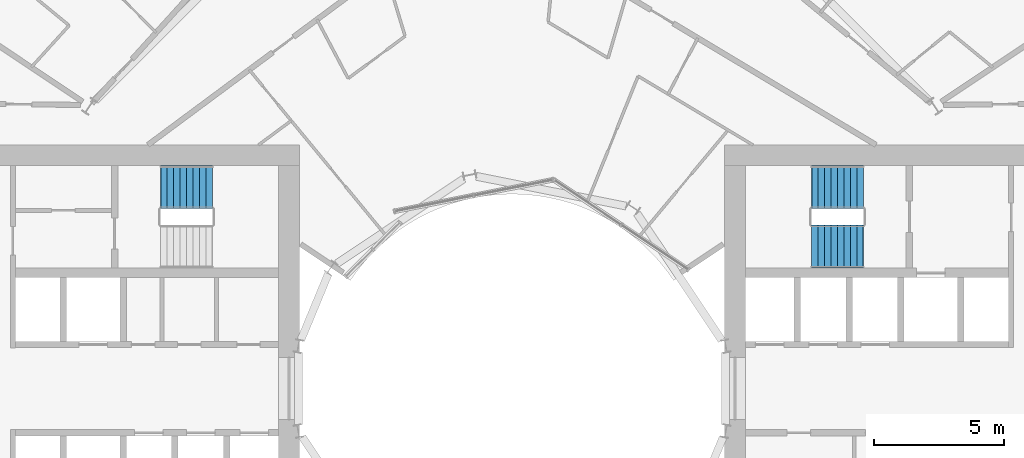
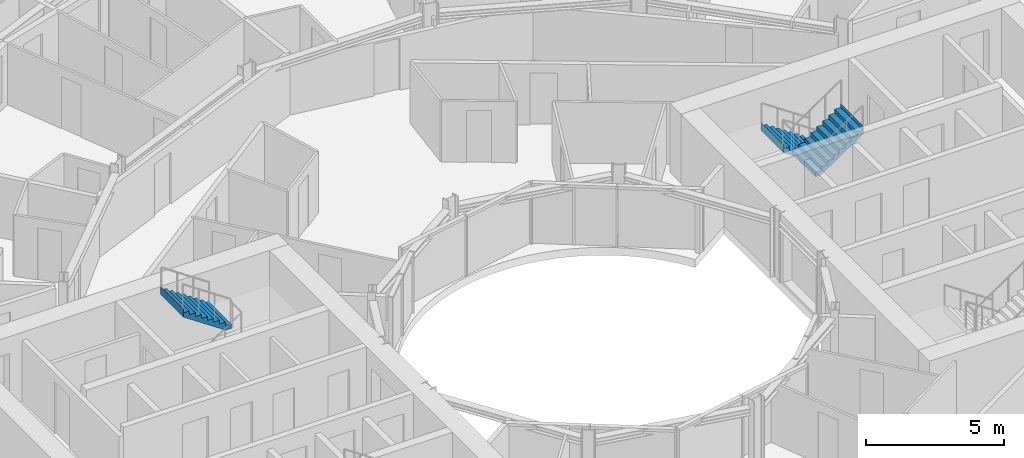
# One storey, part 24 of 26: 3 stair flights, 2 elements without a shape of their own.
"""IFC4 building model written with IfcOpenShell, lengths in metres."""

from ifc_helpers import new_model, si_unit, direction, frame, origin, place, context, subcontext, project, spatial, triangles, material, type_object, element, aggregate, save


model = new_model("IFC4")

# Units and contexts
model_context = context("Model", 3, precision=1e-05, world=origin(), true_north=direction((0.0, 1.0)))
body_context = subcontext(model_context, "Body", "Model", "MODEL_VIEW")
ifc_project = project(units=[si_unit("LENGTHUNIT", "METRE"), si_unit("AREAUNIT", "SQUARE_METRE"), si_unit("VOLUMEUNIT", "CUBIC_METRE"), si_unit("PLANEANGLEUNIT", "RADIAN"), si_unit("MASSUNIT", "GRAM", prefix="KILO")], contexts=[model_context])

# Site, building, storey
site_placement = place(None, origin())
site = spatial("IfcSite", under=ifc_project, at=site_placement, CompositionType="ELEMENT")
building_placement = place(site_placement, origin())
building = spatial("IfcBuilding", under=site, at=building_placement, Name="Maasbend Ring Residences", CompositionType="ELEMENT")
storey_placement = place(building_placement, frame((0.0, 0.0, 47.199951171875)))
storey = spatial("IfcBuildingStorey", under=building, at=storey_placement, Name="L13", CompositionType="ELEMENT", Elevation=47.199951171875)

# Stair, stair flights
ifc_material_1 = material(Name="Concrete C40/50", Category="concrete")
stair_type = type_object("IfcStairType", Name="CORE STAIR 18 RISERS", PredefinedType="HALF_TURN_STAIR", material=ifc_material_1)
stair_1_placement = place(storey_placement, origin())
stair_1 = element("IfcStair", 1, at=stair_1_placement, inside=storey, type_object=stair_type, Name="L13 Exit stair ST-E1", PredefinedType="HALF_TURN_STAIR")
ifc_material_2 = material(Name="Concrete C40/50", Category="concrete")
stair_flight_type = type_object("IfcStairFlightType", Name="CORE STAIR FLIGHT 1650", PredefinedType="STRAIGHT", material=ifc_material_2)
stair_flight_1_placement = place(storey_placement, frame((13.550048828125, 7.77490234375, 0.0), z_axis=(0.0, 0.0, 1.0), x_axis=(-1.0, 0.0, 0.0)))
stair_flight_1 = element("IfcStairFlight", 2, at=stair_flight_1_placement, type_object=stair_flight_type, Name="ST-E1 flight 1", NumberOfRisers=9, NumberOfTreads=8, PredefinedType="STRAIGHT", RiserHeight=0.169444444, TreadLength=0.25, context=body_context, shape_type="Tessellation", body=[
    triangles([(0.24072265625, 0.824951171875, -0.02001953125), (2.0029296875, 0.824951171875, 1.174560546875), (2.0029296875, 0.824951171875, 1.52490234375), (1.989990234375, 0.824951171875, 1.35546875), (1.75, 0.824951171875, 1.35546875), (1.75, 0.824951171875, 1.18603515625), (1.5, 0.824951171875, 1.18603515625), (1.5, 0.824951171875, 1.0166015625), (1.25, 0.824951171875, 1.0166015625), (1.25, 0.824951171875, 0.84716796875), (1.0, 0.824951171875, 0.84716796875), (1.0, 0.824951171875, 0.677734375), (0.75, 0.824951171875, 0.677734375), (0.75, 0.824951171875, 0.50830078125), (0.5, 0.824951171875, 0.50830078125), (0.5, 0.824951171875, 0.3388671875), (0.25, 0.824951171875, 0.3388671875), (0.25, 0.824951171875, 0.16943359375), (0.0, 0.824951171875, 0.16943359375), (0.0, 0.824951171875, 0.0), (-0.0029296875, 0.824951171875, 0.0), (-0.0029296875, 0.824951171875, -0.02001953125), (0.24072265625, 0.27490234375, -0.02001953125), (2.0029296875, 0.27490234375, 1.174560546875), (2.0029296875, 0.27490234375, 1.52490234375), (1.989990234375, 0.27490234375, 1.35546875), (1.75, 0.27490234375, 1.35546875), (1.75, 0.27490234375, 1.18603515625), (1.5, 0.27490234375, 1.18603515625), (1.5, 0.27490234375, 1.0166015625), (1.25, 0.27490234375, 1.0166015625), (1.25, 0.27490234375, 0.84716796875), (1.0, 0.27490234375, 0.84716796875), (1.0, 0.27490234375, 0.677734375), (0.75, 0.27490234375, 0.677734375), (0.75, 0.27490234375, 0.50830078125), (0.5, 0.27490234375, 0.50830078125), (0.5, 0.27490234375, 0.3388671875), (0.25, 0.27490234375, 0.3388671875), (0.25, 0.27490234375, 0.16943359375), (0.0, 0.27490234375, 0.16943359375), (0.0, 0.27490234375, 0.0), (-0.0029296875, 0.27490234375, 0.0), (-0.0029296875, 0.27490234375, -0.02001953125), (0.24072265625, -0.27490234375, -0.02001953125), (2.0029296875, -0.27490234375, 1.174560546875), (2.0029296875, -0.27490234375, 1.52490234375), (1.989990234375, -0.27490234375, 1.35546875), (1.75, -0.27490234375, 1.35546875), (1.75, -0.27490234375, 1.18603515625), (1.5, -0.27490234375, 1.18603515625), (1.5, -0.27490234375, 1.0166015625), (1.25, -0.27490234375, 1.0166015625), (1.25, -0.27490234375, 0.84716796875), (1.0, -0.27490234375, 0.84716796875), (1.0, -0.27490234375, 0.677734375), (0.75, -0.27490234375, 0.677734375), (0.75, -0.27490234375, 0.50830078125), (0.5, -0.27490234375, 0.50830078125), (0.5, -0.27490234375, 0.3388671875), (0.25, -0.27490234375, 0.3388671875), (0.25, -0.27490234375, 0.16943359375), (0.0, -0.27490234375, 0.16943359375), (0.0, -0.27490234375, 0.0), (-0.0029296875, -0.27490234375, 0.0), (-0.0029296875, -0.27490234375, -0.02001953125), (0.24072265625, -0.824951171875, -0.02001953125), (2.0029296875, -0.824951171875, 1.174560546875), (2.0029296875, -0.824951171875, 1.52490234375), (1.989990234375, -0.824951171875, 1.35546875), (1.75, -0.824951171875, 1.35546875), (1.75, -0.824951171875, 1.18603515625), (1.5, -0.824951171875, 1.18603515625), (1.5, -0.824951171875, 1.0166015625), (1.25, -0.824951171875, 1.0166015625), (1.25, -0.824951171875, 0.84716796875), (1.0, -0.824951171875, 0.84716796875), (1.0, -0.824951171875, 0.677734375), (0.75, -0.824951171875, 0.677734375), (0.75, -0.824951171875, 0.50830078125), (0.5, -0.824951171875, 0.50830078125), (0.5, -0.824951171875, 0.3388671875), (0.25, -0.824951171875, 0.3388671875), (0.25, -0.824951171875, 0.16943359375), (0.0, -0.824951171875, 0.16943359375), (0.0, -0.824951171875, 0.0), (-0.0029296875, -0.824951171875, 0.0), (-0.0029296875, -0.824951171875, -0.02001953125)], [[1, 2, 24], [1, 24, 23], [23, 24, 46], [23, 46, 45], [45, 46, 68], [45, 68, 67], [2, 3, 25], [2, 25, 24], [24, 25, 47], [24, 47, 46], [46, 47, 69], [46, 69, 68], [3, 4, 26], [3, 26, 25], [25, 26, 48], [25, 48, 47], [47, 48, 70], [47, 70, 69], [4, 5, 27], [4, 27, 26], [26, 27, 49], [26, 49, 48], [48, 49, 71], [48, 71, 70], [5, 6, 28], [5, 28, 27], [27, 28, 50], [27, 50, 49], [49, 50, 72], [49, 72, 71], [6, 7, 29], [6, 29, 28], [28, 29, 51], [28, 51, 50], [50, 51, 73], [50, 73, 72], [7, 8, 30], [7, 30, 29], [29, 30, 52], [29, 52, 51], [51, 52, 74], [51, 74, 73], [8, 9, 31], [8, 31, 30], [30, 31, 53], [30, 53, 52], [52, 53, 75], [52, 75, 74], [9, 10, 32], [9, 32, 31], [31, 32, 54], [31, 54, 53], [53, 54, 76], [53, 76, 75], [10, 11, 33], [10, 33, 32], [32, 33, 55], [32, 55, 54], [54, 55, 77], [54, 77, 76], [11, 12, 34], [11, 34, 33], [33, 34, 56], [33, 56, 55], [55, 56, 78], [55, 78, 77], [12, 13, 35], [12, 35, 34], [34, 35, 57], [34, 57, 56], [56, 57, 79], [56, 79, 78], [13, 14, 36], [13, 36, 35], [35, 36, 58], [35, 58, 57], [57, 58, 80], [57, 80, 79], [14, 15, 37], [14, 37, 36], [36, 37, 59], [36, 59, 58], [58, 59, 81], [58, 81, 80], [15, 16, 38], [15, 38, 37], [37, 38, 60], [37, 60, 59], [59, 60, 82], [59, 82, 81], [16, 17, 39], [16, 39, 38], [38, 39, 61], [38, 61, 60], [60, 61, 83], [60, 83, 82], [17, 18, 40], [17, 40, 39], [39, 40, 62], [39, 62, 61], [61, 62, 84], [61, 84, 83], [18, 19, 41], [18, 41, 40], [40, 41, 63], [40, 63, 62], [62, 63, 85], [62, 85, 84], [19, 20, 42], [19, 42, 41], [41, 42, 64], [41, 64, 63], [63, 64, 86], [63, 86, 85], [20, 21, 43], [20, 43, 42], [42, 43, 65], [42, 65, 64], [64, 65, 87], [64, 87, 86], [21, 22, 44], [21, 44, 43], [43, 44, 66], [43, 66, 65], [65, 66, 88], [65, 88, 87], [22, 1, 23], [22, 23, 44], [44, 23, 45], [44, 45, 66], [66, 45, 67], [66, 67, 88], [22, 2, 1], [2, 4, 3], [2, 5, 4], [2, 6, 5], [22, 6, 2], [6, 8, 7], [22, 8, 6], [8, 10, 9], [22, 10, 8], [10, 12, 11], [22, 12, 10], [12, 14, 13], [22, 14, 12], [14, 16, 15], [22, 16, 14], [16, 18, 17], [22, 18, 16], [18, 20, 19], [22, 20, 18], [20, 22, 21], [88, 67, 68], [68, 69, 70], [68, 70, 71], [68, 71, 72], [88, 68, 72], [72, 73, 74], [88, 72, 74], [74, 75, 76], [88, 74, 76], [76, 77, 78], [88, 76, 78], [78, 79, 80], [88, 78, 80], [80, 81, 82], [88, 80, 82], [82, 83, 84], [88, 82, 84], [84, 85, 86], [88, 84, 86], [86, 87, 88]], closed=True),
])
stair_flight_2_placement = place(storey_placement, frame((11.550048828125, 5.47509765625, 1.525146484375), z_axis=(0.0, 0.0, 1.0), x_axis=(1.0, 0.0, 0.0)))
stair_flight_2 = element("IfcStairFlight", 3, at=stair_flight_2_placement, type_object=stair_flight_type, Name="ST-E1 flight 2", NumberOfRisers=9, NumberOfTreads=8, PredefinedType="STRAIGHT", RiserHeight=0.169444444, TreadLength=0.25, context=body_context, shape_type="Tessellation", body=[
    triangles([(0.24072265625, 0.824951171875, -0.02001953125), (2.0029296875, 0.824951171875, 1.174560546875), (2.0029296875, 0.824951171875, 1.52490234375), (1.989990234375, 0.824951171875, 1.35546875), (1.75, 0.824951171875, 1.35546875), (1.75, 0.824951171875, 1.18603515625), (1.5, 0.824951171875, 1.18603515625), (1.5, 0.824951171875, 1.0166015625), (1.25, 0.824951171875, 1.0166015625), (1.25, 0.824951171875, 0.84716796875), (1.0, 0.824951171875, 0.84716796875), (1.0, 0.824951171875, 0.677734375), (0.75, 0.824951171875, 0.677734375), (0.75, 0.824951171875, 0.50830078125), (0.5, 0.824951171875, 0.50830078125), (0.5, 0.824951171875, 0.3388671875), (0.25, 0.824951171875, 0.3388671875), (0.25, 0.824951171875, 0.16943359375), (0.0, 0.824951171875, 0.16943359375), (0.0, 0.824951171875, 0.0), (-0.0029296875, 0.824951171875, 0.0), (-0.0029296875, 0.824951171875, -0.02001953125), (0.24072265625, 0.27490234375, -0.02001953125), (2.0029296875, 0.27490234375, 1.174560546875), (2.0029296875, 0.27490234375, 1.52490234375), (1.989990234375, 0.27490234375, 1.35546875), (1.75, 0.27490234375, 1.35546875), (1.75, 0.27490234375, 1.18603515625), (1.5, 0.27490234375, 1.18603515625), (1.5, 0.27490234375, 1.0166015625), (1.25, 0.27490234375, 1.0166015625), (1.25, 0.27490234375, 0.84716796875), (1.0, 0.27490234375, 0.84716796875), (1.0, 0.27490234375, 0.677734375), (0.75, 0.27490234375, 0.677734375), (0.75, 0.27490234375, 0.50830078125), (0.5, 0.27490234375, 0.50830078125), (0.5, 0.27490234375, 0.3388671875), (0.25, 0.27490234375, 0.3388671875), (0.25, 0.27490234375, 0.16943359375), (0.0, 0.27490234375, 0.16943359375), (0.0, 0.27490234375, 0.0), (-0.0029296875, 0.27490234375, 0.0), (-0.0029296875, 0.27490234375, -0.02001953125), (0.24072265625, -0.27490234375, -0.02001953125), (2.0029296875, -0.27490234375, 1.174560546875), (2.0029296875, -0.27490234375, 1.52490234375), (1.989990234375, -0.27490234375, 1.35546875), (1.75, -0.27490234375, 1.35546875), (1.75, -0.27490234375, 1.18603515625), (1.5, -0.27490234375, 1.18603515625), (1.5, -0.27490234375, 1.0166015625), (1.25, -0.27490234375, 1.0166015625), (1.25, -0.27490234375, 0.84716796875), (1.0, -0.27490234375, 0.84716796875), (1.0, -0.27490234375, 0.677734375), (0.75, -0.27490234375, 0.677734375), (0.75, -0.27490234375, 0.50830078125), (0.5, -0.27490234375, 0.50830078125), (0.5, -0.27490234375, 0.3388671875), (0.25, -0.27490234375, 0.3388671875), (0.25, -0.27490234375, 0.16943359375), (0.0, -0.27490234375, 0.16943359375), (0.0, -0.27490234375, 0.0), (-0.0029296875, -0.27490234375, 0.0), (-0.0029296875, -0.27490234375, -0.02001953125), (0.24072265625, -0.824951171875, -0.02001953125), (2.0029296875, -0.824951171875, 1.174560546875), (2.0029296875, -0.824951171875, 1.52490234375), (1.989990234375, -0.824951171875, 1.35546875), (1.75, -0.824951171875, 1.35546875), (1.75, -0.824951171875, 1.18603515625), (1.5, -0.824951171875, 1.18603515625), (1.5, -0.824951171875, 1.0166015625), (1.25, -0.824951171875, 1.0166015625), (1.25, -0.824951171875, 0.84716796875), (1.0, -0.824951171875, 0.84716796875), (1.0, -0.824951171875, 0.677734375), (0.75, -0.824951171875, 0.677734375), (0.75, -0.824951171875, 0.50830078125), (0.5, -0.824951171875, 0.50830078125), (0.5, -0.824951171875, 0.3388671875), (0.25, -0.824951171875, 0.3388671875), (0.25, -0.824951171875, 0.16943359375), (0.0, -0.824951171875, 0.16943359375), (0.0, -0.824951171875, 0.0), (-0.0029296875, -0.824951171875, 0.0), (-0.0029296875, -0.824951171875, -0.02001953125)], [[1, 2, 24], [1, 24, 23], [23, 24, 46], [23, 46, 45], [45, 46, 68], [45, 68, 67], [2, 3, 25], [2, 25, 24], [24, 25, 47], [24, 47, 46], [46, 47, 69], [46, 69, 68], [3, 4, 26], [3, 26, 25], [25, 26, 48], [25, 48, 47], [47, 48, 70], [47, 70, 69], [4, 5, 27], [4, 27, 26], [26, 27, 49], [26, 49, 48], [48, 49, 71], [48, 71, 70], [5, 6, 28], [5, 28, 27], [27, 28, 50], [27, 50, 49], [49, 50, 72], [49, 72, 71], [6, 7, 29], [6, 29, 28], [28, 29, 51], [28, 51, 50], [50, 51, 73], [50, 73, 72], [7, 8, 30], [7, 30, 29], [29, 30, 52], [29, 52, 51], [51, 52, 74], [51, 74, 73], [8, 9, 31], [8, 31, 30], [30, 31, 53], [30, 53, 52], [52, 53, 75], [52, 75, 74], [9, 10, 32], [9, 32, 31], [31, 32, 54], [31, 54, 53], [53, 54, 76], [53, 76, 75], [10, 11, 33], [10, 33, 32], [32, 33, 55], [32, 55, 54], [54, 55, 77], [54, 77, 76], [11, 12, 34], [11, 34, 33], [33, 34, 56], [33, 56, 55], [55, 56, 78], [55, 78, 77], [12, 13, 35], [12, 35, 34], [34, 35, 57], [34, 57, 56], [56, 57, 79], [56, 79, 78], [13, 14, 36], [13, 36, 35], [35, 36, 58], [35, 58, 57], [57, 58, 80], [57, 80, 79], [14, 15, 37], [14, 37, 36], [36, 37, 59], [36, 59, 58], [58, 59, 81], [58, 81, 80], [15, 16, 38], [15, 38, 37], [37, 38, 60], [37, 60, 59], [59, 60, 82], [59, 82, 81], [16, 17, 39], [16, 39, 38], [38, 39, 61], [38, 61, 60], [60, 61, 83], [60, 83, 82], [17, 18, 40], [17, 40, 39], [39, 40, 62], [39, 62, 61], [61, 62, 84], [61, 84, 83], [18, 19, 41], [18, 41, 40], [40, 41, 63], [40, 63, 62], [62, 63, 85], [62, 85, 84], [19, 20, 42], [19, 42, 41], [41, 42, 64], [41, 64, 63], [63, 64, 86], [63, 86, 85], [20, 21, 43], [20, 43, 42], [42, 43, 65], [42, 65, 64], [64, 65, 87], [64, 87, 86], [21, 22, 44], [21, 44, 43], [43, 44, 66], [43, 66, 65], [65, 66, 88], [65, 88, 87], [22, 1, 23], [22, 23, 44], [44, 23, 45], [44, 45, 66], [66, 45, 67], [66, 67, 88], [22, 2, 1], [2, 4, 3], [2, 5, 4], [2, 6, 5], [22, 6, 2], [6, 8, 7], [22, 8, 6], [8, 10, 9], [22, 10, 8], [10, 12, 11], [22, 12, 10], [12, 14, 13], [22, 14, 12], [14, 16, 15], [22, 16, 14], [16, 18, 17], [22, 18, 16], [18, 20, 19], [22, 20, 18], [20, 22, 21], [88, 67, 68], [68, 69, 70], [68, 70, 71], [68, 71, 72], [88, 68, 72], [72, 73, 74], [88, 72, 74], [74, 75, 76], [88, 74, 76], [76, 77, 78], [88, 76, 78], [78, 79, 80], [88, 78, 80], [80, 81, 82], [88, 80, 82], [82, 83, 84], [88, 82, 84], [84, 85, 86], [88, 84, 86], [86, 87, 88]], closed=True),
])
aggregate(stair_1, [stair_flight_1, stair_flight_2])

# Stair, stair flight
stair_2_placement = place(storey_placement, origin())
stair_2 = element("IfcStair", 4, at=stair_2_placement, inside=storey, type_object=stair_type, Name="L13 Exit stair ST-W2", PredefinedType="HALF_TURN_STAIR")
stair_flight_3_placement = place(storey_placement, frame((-11.550048828125, 7.77490234375, 1.525146484375), z_axis=(0.0, 0.0, 1.0), x_axis=(-1.0, 0.0, 0.0)))
stair_flight_3 = element("IfcStairFlight", 5, at=stair_flight_3_placement, type_object=stair_flight_type, Name="ST-W2 flight 2", NumberOfRisers=9, NumberOfTreads=8, PredefinedType="STRAIGHT", RiserHeight=0.169444444, TreadLength=0.25, context=body_context, shape_type="Tessellation", body=[
    triangles([(0.24072265625, 0.824951171875, -0.02001953125), (2.0029296875, 0.824951171875, 1.174560546875), (2.0029296875, 0.824951171875, 1.52490234375), (1.989990234375, 0.824951171875, 1.35546875), (1.75, 0.824951171875, 1.35546875), (1.75, 0.824951171875, 1.18603515625), (1.5, 0.824951171875, 1.18603515625), (1.5, 0.824951171875, 1.0166015625), (1.25, 0.824951171875, 1.0166015625), (1.25, 0.824951171875, 0.84716796875), (1.0, 0.824951171875, 0.84716796875), (1.0, 0.824951171875, 0.677734375), (0.75, 0.824951171875, 0.677734375), (0.75, 0.824951171875, 0.50830078125), (0.5, 0.824951171875, 0.50830078125), (0.5, 0.824951171875, 0.3388671875), (0.25, 0.824951171875, 0.3388671875), (0.25, 0.824951171875, 0.16943359375), (0.0, 0.824951171875, 0.16943359375), (0.0, 0.824951171875, 0.0), (-0.0029296875, 0.824951171875, 0.0), (-0.0029296875, 0.824951171875, -0.02001953125), (0.24072265625, 0.27490234375, -0.02001953125), (2.0029296875, 0.27490234375, 1.174560546875), (2.0029296875, 0.27490234375, 1.52490234375), (1.989990234375, 0.27490234375, 1.35546875), (1.75, 0.27490234375, 1.35546875), (1.75, 0.27490234375, 1.18603515625), (1.5, 0.27490234375, 1.18603515625), (1.5, 0.27490234375, 1.0166015625), (1.25, 0.27490234375, 1.0166015625), (1.25, 0.27490234375, 0.84716796875), (1.0, 0.27490234375, 0.84716796875), (1.0, 0.27490234375, 0.677734375), (0.75, 0.27490234375, 0.677734375), (0.75, 0.27490234375, 0.50830078125), (0.5, 0.27490234375, 0.50830078125), (0.5, 0.27490234375, 0.3388671875), (0.25, 0.27490234375, 0.3388671875), (0.25, 0.27490234375, 0.16943359375), (0.0, 0.27490234375, 0.16943359375), (0.0, 0.27490234375, 0.0), (-0.0029296875, 0.27490234375, 0.0), (-0.0029296875, 0.27490234375, -0.02001953125), (0.24072265625, -0.27490234375, -0.02001953125), (2.0029296875, -0.27490234375, 1.174560546875), (2.0029296875, -0.27490234375, 1.52490234375), (1.989990234375, -0.27490234375, 1.35546875), (1.75, -0.27490234375, 1.35546875), (1.75, -0.27490234375, 1.18603515625), (1.5, -0.27490234375, 1.18603515625), (1.5, -0.27490234375, 1.0166015625), (1.25, -0.27490234375, 1.0166015625), (1.25, -0.27490234375, 0.84716796875), (1.0, -0.27490234375, 0.84716796875), (1.0, -0.27490234375, 0.677734375), (0.75, -0.27490234375, 0.677734375), (0.75, -0.27490234375, 0.50830078125), (0.5, -0.27490234375, 0.50830078125), (0.5, -0.27490234375, 0.3388671875), (0.25, -0.27490234375, 0.3388671875), (0.25, -0.27490234375, 0.16943359375), (0.0, -0.27490234375, 0.16943359375), (0.0, -0.27490234375, 0.0), (-0.0029296875, -0.27490234375, 0.0), (-0.0029296875, -0.27490234375, -0.02001953125), (0.24072265625, -0.824951171875, -0.02001953125), (2.0029296875, -0.824951171875, 1.174560546875), (2.0029296875, -0.824951171875, 1.52490234375), (1.989990234375, -0.824951171875, 1.35546875), (1.75, -0.824951171875, 1.35546875), (1.75, -0.824951171875, 1.18603515625), (1.5, -0.824951171875, 1.18603515625), (1.5, -0.824951171875, 1.0166015625), (1.25, -0.824951171875, 1.0166015625), (1.25, -0.824951171875, 0.84716796875), (1.0, -0.824951171875, 0.84716796875), (1.0, -0.824951171875, 0.677734375), (0.75, -0.824951171875, 0.677734375), (0.75, -0.824951171875, 0.50830078125), (0.5, -0.824951171875, 0.50830078125), (0.5, -0.824951171875, 0.3388671875), (0.25, -0.824951171875, 0.3388671875), (0.25, -0.824951171875, 0.16943359375), (0.0, -0.824951171875, 0.16943359375), (0.0, -0.824951171875, 0.0), (-0.0029296875, -0.824951171875, 0.0), (-0.0029296875, -0.824951171875, -0.02001953125)], [[1, 2, 24], [1, 24, 23], [23, 24, 46], [23, 46, 45], [45, 46, 68], [45, 68, 67], [2, 3, 25], [2, 25, 24], [24, 25, 47], [24, 47, 46], [46, 47, 69], [46, 69, 68], [3, 4, 26], [3, 26, 25], [25, 26, 48], [25, 48, 47], [47, 48, 70], [47, 70, 69], [4, 5, 27], [4, 27, 26], [26, 27, 49], [26, 49, 48], [48, 49, 71], [48, 71, 70], [5, 6, 28], [5, 28, 27], [27, 28, 50], [27, 50, 49], [49, 50, 72], [49, 72, 71], [6, 7, 29], [6, 29, 28], [28, 29, 51], [28, 51, 50], [50, 51, 73], [50, 73, 72], [7, 8, 30], [7, 30, 29], [29, 30, 52], [29, 52, 51], [51, 52, 74], [51, 74, 73], [8, 9, 31], [8, 31, 30], [30, 31, 53], [30, 53, 52], [52, 53, 75], [52, 75, 74], [9, 10, 32], [9, 32, 31], [31, 32, 54], [31, 54, 53], [53, 54, 76], [53, 76, 75], [10, 11, 33], [10, 33, 32], [32, 33, 55], [32, 55, 54], [54, 55, 77], [54, 77, 76], [11, 12, 34], [11, 34, 33], [33, 34, 56], [33, 56, 55], [55, 56, 78], [55, 78, 77], [12, 13, 35], [12, 35, 34], [34, 35, 57], [34, 57, 56], [56, 57, 79], [56, 79, 78], [13, 14, 36], [13, 36, 35], [35, 36, 58], [35, 58, 57], [57, 58, 80], [57, 80, 79], [14, 15, 37], [14, 37, 36], [36, 37, 59], [36, 59, 58], [58, 59, 81], [58, 81, 80], [15, 16, 38], [15, 38, 37], [37, 38, 60], [37, 60, 59], [59, 60, 82], [59, 82, 81], [16, 17, 39], [16, 39, 38], [38, 39, 61], [38, 61, 60], [60, 61, 83], [60, 83, 82], [17, 18, 40], [17, 40, 39], [39, 40, 62], [39, 62, 61], [61, 62, 84], [61, 84, 83], [18, 19, 41], [18, 41, 40], [40, 41, 63], [40, 63, 62], [62, 63, 85], [62, 85, 84], [19, 20, 42], [19, 42, 41], [41, 42, 64], [41, 64, 63], [63, 64, 86], [63, 86, 85], [20, 21, 43], [20, 43, 42], [42, 43, 65], [42, 65, 64], [64, 65, 87], [64, 87, 86], [21, 22, 44], [21, 44, 43], [43, 44, 66], [43, 66, 65], [65, 66, 88], [65, 88, 87], [22, 1, 23], [22, 23, 44], [44, 23, 45], [44, 45, 66], [66, 45, 67], [66, 67, 88], [22, 2, 1], [2, 4, 3], [2, 5, 4], [2, 6, 5], [22, 6, 2], [6, 8, 7], [22, 8, 6], [8, 10, 9], [22, 10, 8], [10, 12, 11], [22, 12, 10], [12, 14, 13], [22, 14, 12], [14, 16, 15], [22, 16, 14], [16, 18, 17], [22, 18, 16], [18, 20, 19], [22, 20, 18], [20, 22, 21], [88, 67, 68], [68, 69, 70], [68, 70, 71], [68, 71, 72], [88, 68, 72], [72, 73, 74], [88, 72, 74], [74, 75, 76], [88, 74, 76], [76, 77, 78], [88, 76, 78], [78, 79, 80], [88, 78, 80], [80, 81, 82], [88, 80, 82], [82, 83, 84], [88, 82, 84], [84, 85, 86], [88, 84, 86], [86, 87, 88]], closed=True),
])
aggregate(stair_2, [stair_flight_3])

save(model, "model.ifc")
